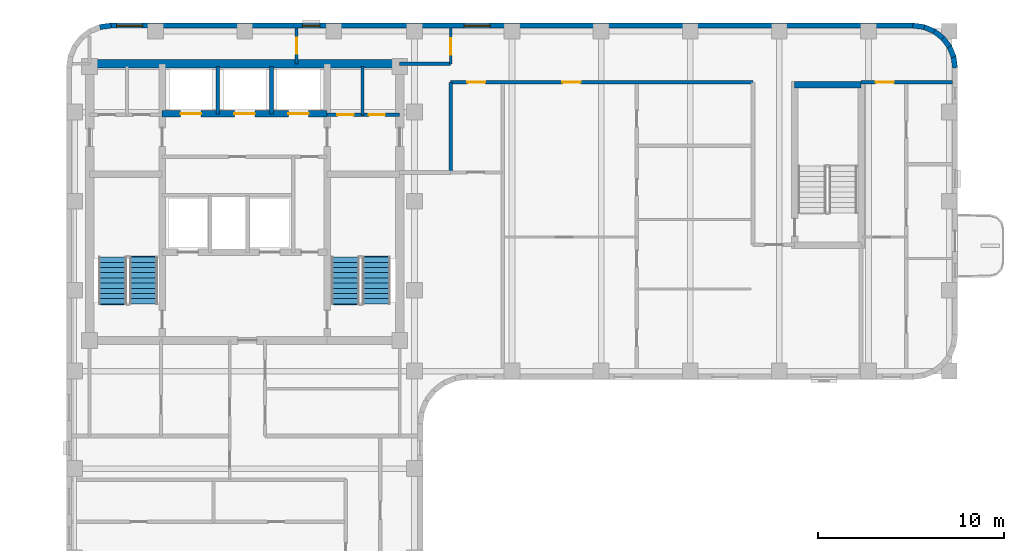
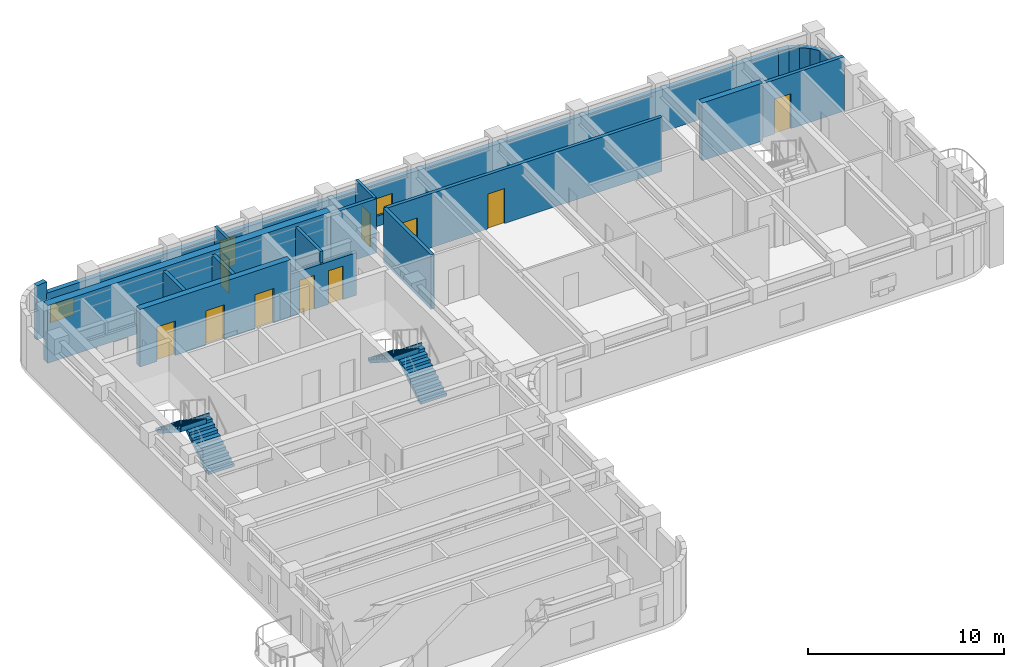
# One storey, part 6 of 10: 21 walls, 10 doors, 4 stair flights, 3 windows, 13 openings, 2 elements without a shape of their own.
"""IFC4 building model written with IfcOpenShell, lengths in metres."""

from ifc_helpers import new_model, si_unit, direction, frame, frame_2d, origin, place, context, subcontext, project, spatial, polyline, rectangle, outline, extrude, material, layer, layer_set, type_object, element, fill, aggregate, save


model = new_model("IFC4")

# Units and contexts
model_context = context("Model", 3, precision=1e-05, world=origin(), true_north=direction((0.0, 1.0)))
body_context = subcontext(model_context, "Body", "Model", "MODEL_VIEW")
ifc_project = project(units=[si_unit("LENGTHUNIT", "METRE"), si_unit("AREAUNIT", "SQUARE_METRE"), si_unit("VOLUMEUNIT", "CUBIC_METRE"), si_unit("PLANEANGLEUNIT", "RADIAN"), si_unit("MASSUNIT", "GRAM", prefix="KILO")], contexts=[model_context])

# Site, building, storey
site_placement = place(None, origin())
site = spatial("IfcSite", under=ifc_project, at=site_placement, CompositionType="ELEMENT")
building_placement = place(site_placement, origin())
building = spatial("IfcBuilding", under=site, at=building_placement, Name="Orvandelia Arch Residences", CompositionType="ELEMENT")
storey_placement = place(building_placement, frame((0.0, 0.0, 232.60009765625)))
storey = spatial("IfcBuildingStorey", under=building, at=storey_placement, Name="L61", CompositionType="ELEMENT", Elevation=232.60009765625)

# Wall, openings, doors
ifc_material_1 = material(Name="Concrete C50/60", Category="concrete")
ifc_layer_1 = layer(ifc_material_1, 0.35009765625, Name="Concrete C50/60", Category="concrete")
ifc_layer_set_1 = layer_set([ifc_layer_1], Name="Concrete C50/60")
wall_type_1 = type_object("IfcWallType", Name="WL-CORE-350", PredefinedType="SHEAR", material=ifc_layer_set_1)
wall_1_placement = place(storey_placement, frame((9.9599609375, 43.10009765625, 0.0), z_axis=(0.0, 0.0, 1.0), x_axis=(1.0, 0.0, 0.0)))
wall_1 = element("IfcWall", 1, at=wall_1_placement, inside=storey, type_object=wall_type_1, Name="Core Shear Wall L61-HZ4", PredefinedType="SHEAR", context=body_context, shape_type="SweptSolid", body=[
    extrude(rectangle(XDim=8.880126953125, YDim=0.35009765625, at=frame_2d((4.43994140625, 0.0))), origin(), (0.0, 0.0, 1.0), 3.599853515625),
])
opening_1_placement = place(wall_1_placement, frame((0.989990234375, 0.0, 0.0)))
opening_1 = element("IfcOpeningElement", 2, at=opening_1_placement, cuts=wall_1, Name="Opening LD", PredefinedType="OPENING", context=body_context, shape_type="SweptSolid", body=[
    extrude(rectangle(XDim=1.10009765625, YDim=2.14990234375, at=frame_2d((0.550048828125, 1.074951171875))), frame((0.0, 0.18505859375, 0.0), z_axis=(0.0, -1.0, 0.0), x_axis=(1.0, 0.0, 0.0)), (0.0, 0.0, 1.0), 0.3701171875),
])
opening_2_placement = place(wall_1_placement, frame((3.889892578125, 0.0, 0.0)))
opening_2 = element("IfcOpeningElement", 3, at=opening_2_placement, cuts=wall_1, Name="Opening LD", PredefinedType="OPENING", context=body_context, shape_type="SweptSolid", body=[
    extrude(rectangle(XDim=1.10009765625, YDim=2.14990234375, at=frame_2d((0.550048828125, 1.074951171875))), frame((0.0, 0.18505859375, 0.0), z_axis=(0.0, -1.0, 0.0), x_axis=(1.0, 0.0, 0.0)), (0.0, 0.0, 1.0), 0.3701171875),
])
opening_3_placement = place(wall_1_placement, frame((6.7900390625, 0.0, 0.0)))
opening_3 = element("IfcOpeningElement", 4, at=opening_3_placement, cuts=wall_1, Name="Opening LD", PredefinedType="OPENING", context=body_context, shape_type="SweptSolid", body=[
    extrude(rectangle(XDim=1.10009765625, YDim=2.14990234375, at=frame_2d((0.550048828125, 1.074951171875))), frame((0.0, 0.18505859375, 0.0), z_axis=(0.0, -1.0, 0.0), x_axis=(1.0, 0.0, 0.0)), (0.0, 0.0, 1.0), 0.3701171875),
])
ifc_material_2 = material(Name="Brushed Stainless Steel Sliding Lift Door", Category="steel")
door_type_1 = type_object("IfcDoorType", Name="DR-LIFT-1100", OperationType="NOTDEFINED", PredefinedType="DOOR", material=ifc_material_2)
door_1_placement = place(opening_1_placement, origin())
door_1 = element("IfcDoor", 5, at=door_1_placement, inside=storey, type_object=door_type_1, Name="Lift Landing Door LD-PH1-L61", OperationType="SLIDING_TO_LEFT", OverallHeight=2.14990234375, OverallWidth=1.10009765625, PredefinedType="DOOR", context=body_context, shape_type="SweptSolid", body=[
    extrude(rectangle(XDim=1.10009765625, YDim=2.14990234375, at=frame_2d((0.550048828125, 1.074951171875))), frame((0.0, 0.02490234375, 0.0), z_axis=(0.0, -1.0, 0.0), x_axis=(1.0, 0.0, 0.0)), (0.0, 0.0, 1.0), 0.050048828125),
])
fill(opening_1, door_1)
door_2_placement = place(opening_2_placement, origin())
door_2 = element("IfcDoor", 6, at=door_2_placement, inside=storey, type_object=door_type_1, Name="Lift Landing Door LD-PH2-L61", OperationType="SLIDING_TO_RIGHT", OverallHeight=2.14990234375, OverallWidth=1.10009765625, PredefinedType="DOOR", context=body_context, shape_type="SweptSolid", body=[
    extrude(rectangle(XDim=1.10009765625, YDim=2.14990234375, at=frame_2d((0.550048828125, 1.074951171875))), frame((0.0, 0.02490234375, 0.0), z_axis=(0.0, -1.0, 0.0), x_axis=(1.0, 0.0, 0.0)), (0.0, 0.0, 1.0), 0.050048828125),
])
fill(opening_2, door_2)
door_3_placement = place(opening_3_placement, origin())
door_3 = element("IfcDoor", 7, at=door_3_placement, inside=storey, type_object=door_type_1, Name="Lift Landing Door LD-PH3-L61", OperationType="SLIDING_TO_LEFT", OverallHeight=2.14990234375, OverallWidth=1.10009765625, PredefinedType="DOOR", context=body_context, shape_type="SweptSolid", body=[
    extrude(rectangle(XDim=1.10009765625, YDim=2.14990234375, at=frame_2d((0.550048828125, 1.074951171875))), frame((0.0, 0.02490234375, 0.0), z_axis=(0.0, -1.0, 0.0), x_axis=(1.0, 0.0, 0.0)), (0.0, 0.0, 1.0), 0.050048828125),
])
fill(opening_3, door_3)

# Walls
wall_2_placement = place(storey_placement, frame((44.02001953125, 44.659912109375, 0.0), z_axis=(0.0, 0.0, 1.0), x_axis=(1.0, 0.0, 0.0)))
element("IfcWall", 8, at=wall_2_placement, inside=storey, type_object=wall_type_1, Name="East Stair Core Shear Wall L61-N", PredefinedType="SHEAR", context=body_context, shape_type="SweptSolid", body=[
    extrude(rectangle(XDim=3.580078125, YDim=0.35009765625, at=frame_2d((1.7900390625, 0.0))), origin(), (0.0, 0.0, 1.0), 3.599853515625),
])
ifc_layer_2 = layer(ifc_material_1, 0.449951171875, Name="Concrete C50/60", Category="concrete")
ifc_layer_set_2 = layer_set([ifc_layer_2], Name="Concrete C50/60")
wall_type_2 = type_object("IfcWallType", Name="WL-CORE-450", PredefinedType="SHEAR", material=ifc_layer_set_2)
wall_3_placement = place(storey_placement, frame((6.050048828125, 45.800048828125, 0.0), z_axis=(0.0, 0.0, 1.0), x_axis=(1.0, 0.0, 0.0)))
element("IfcWall", 9, at=wall_3_placement, inside=storey, type_object=wall_type_2, Name="Core Shear Wall L61-N", PredefinedType="SHEAR", context=body_context, shape_type="SweptSolid", body=[
    extrude(rectangle(XDim=16.699951171875, YDim=0.449951171875, at=frame_2d((8.35009765625, 0.0))), origin(), (0.0, 0.0, 1.0), 3.599853515625),
])
ifc_material_3 = material(Name="Fire-Rated Corridor Partition")
ifc_layer_3 = layer(ifc_material_3, 0.199951171875, Name="Fire-Rated Corridor Partition")
ifc_layer_set_3 = layer_set([ifc_layer_3], Name="Fire-Rated Corridor Partition")
wall_type_3 = type_object("IfcWallType", Name="WL-CORR-200", PredefinedType="PARTITIONING", material=ifc_layer_set_3)
wall_4_placement = place(storey_placement, frame((22.75, 45.800048828125, 0.0), z_axis=(0.0, 0.0, 1.0), x_axis=(1.0, 0.0, 0.0)))
element("IfcWall", 10, at=wall_4_placement, inside=storey, type_object=wall_type_3, Name="Interior Partition Wall WL-L61-NCE-S", PredefinedType="PARTITIONING", context=body_context, shape_type="SweptSolid", body=[
    extrude(rectangle(XDim=2.75, YDim=0.199951171875, at=frame_2d((1.375, 0.0))), origin(), (0.0, 0.0, 1.0), 3.3798828125),
])

# Wall, openings, doors
wall_5_placement = place(storey_placement, frame((25.5, 44.800048828125, 0.0), z_axis=(0.0, 0.0, 1.0), x_axis=(1.0, 0.0, 0.0)))
wall_5 = element("IfcWall", 11, at=wall_5_placement, inside=storey, type_object=wall_type_3, Name="Interior Partition Wall WL-L61-EN2-S1", PredefinedType="PARTITIONING", context=body_context, shape_type="SweptSolid", body=[
    extrude(rectangle(XDim=16.280029296875, YDim=0.199951171875, at=frame_2d((8.14013671875, 0.0))), origin(), (0.0, 0.0, 1.0), 3.3798828125),
])
opening_4_placement = place(wall_5_placement, frame((0.89990234375, 0.0, 0.0)))
opening_4 = element("IfcOpeningElement", 12, at=opening_4_placement, cuts=wall_5, Name="Opening D2", PredefinedType="OPENING", context=body_context, shape_type="SweptSolid", body=[
    extrude(rectangle(XDim=0.949951171875, YDim=2.14990234375, at=frame_2d((0.47509765625, 1.074951171875))), frame((0.0, 0.10986328125, 0.0), z_axis=(0.0, -1.0, 0.0), x_axis=(1.0, 0.0, 0.0)), (0.0, 0.0, 1.0), 0.219970703125),
])
opening_5_placement = place(wall_5_placement, frame((6.013916015625, 0.0, 0.0)))
opening_5 = element("IfcOpeningElement", 13, at=opening_5_placement, cuts=wall_5, Name="Opening D1", PredefinedType="OPENING", context=body_context, shape_type="SweptSolid", body=[
    extrude(rectangle(XDim=0.97998046875, YDim=2.179931640625, at=frame_2d((0.489990234375, 1.08984375))), frame((0.0, 0.10986328125, 0.0), z_axis=(0.0, -1.0, 0.0), x_axis=(1.0, 0.0, 0.0)), (0.0, 0.0, 1.0), 0.219970703125),
])
ifc_material_4 = material(Name="Solid-Core Timber Interior Fire Door", Category="wood")
door_type_2 = type_object("IfcDoorType", Name="DR-APT-950", OperationType="NOTDEFINED", PredefinedType="DOOR", material=ifc_material_4)
door_4_placement = place(opening_4_placement, origin())
door_4 = element("IfcDoor", 14, at=door_4_placement, inside=storey, type_object=door_type_2, Name="DR-L61-EN2KLD", OperationType="SINGLE_SWING_LEFT", OverallHeight=2.14990234375, OverallWidth=0.949951171875, PredefinedType="DOOR", context=body_context, shape_type="SweptSolid", body=[
    extrude(rectangle(XDim=0.949951171875, YDim=2.14990234375, at=frame_2d((0.47509765625, 1.074951171875))), frame((0.0, 0.02490234375, 0.0), z_axis=(0.0, -1.0, 0.0), x_axis=(1.0, 0.0, 0.0)), (0.0, 0.0, 1.0), 0.050048828125),
])
fill(opening_4, door_4)
ifc_material_5 = material(Name="Solid-Core Timber Acoustic Fire Door", Category="wood")
door_type_3 = type_object("IfcDoorType", Name="DR-ENT-980", OperationType="NOTDEFINED", PredefinedType="DOOR", material=ifc_material_5)
door_5_placement = place(opening_5_placement, origin())
door_5 = element("IfcDoor", 15, at=door_5_placement, inside=storey, type_object=door_type_3, Name="Unit L61-04 Entrance Door", OperationType="SINGLE_SWING_RIGHT", OverallHeight=2.179931640625, OverallWidth=0.97998046875, PredefinedType="DOOR", context=body_context, shape_type="SweptSolid", body=[
    extrude(rectangle(XDim=0.97998046875, YDim=2.179931640625, at=frame_2d((0.489990234375, 1.08984375))), frame((0.0, 0.02490234375, 0.0), z_axis=(0.0, -1.0, 0.0), x_axis=(1.0, 0.0, 0.0)), (0.0, 0.0, 1.0), 0.050048828125),
])
fill(opening_5, door_5)

# Wall, opening, door
wall_6_placement = place(storey_placement, frame((47.60009765625, 44.800048828125, 0.0), z_axis=(0.0, 0.0, 1.0), x_axis=(1.0, 0.0, 0.0)))
wall_6 = element("IfcWall", 16, at=wall_6_placement, inside=storey, type_object=wall_type_3, Name="Interior Partition Wall WL-L61-EN2-S2", PredefinedType="PARTITIONING", context=body_context, shape_type="SweptSolid", body=[
    extrude(rectangle(XDim=4.919921875, YDim=0.199951171875, at=frame_2d((2.4599609375, 0.0))), origin(), (0.0, 0.0, 1.0), 3.3798828125),
])
opening_6_placement = place(wall_6_placement, frame((0.79150390625, 0.0, 0.0)))
opening_6 = element("IfcOpeningElement", 17, at=opening_6_placement, cuts=wall_6, Name="Opening D1", PredefinedType="OPENING", context=body_context, shape_type="SweptSolid", body=[
    extrude(rectangle(XDim=0.97998046875, YDim=2.179931640625, at=frame_2d((0.489990234375, 1.08984375))), frame((0.0, 0.10986328125, 0.0), z_axis=(0.0, -1.0, 0.0), x_axis=(1.0, 0.0, 0.0)), (0.0, 0.0, 1.0), 0.219970703125),
])
door_6_placement = place(opening_6_placement, origin())
door_6 = element("IfcDoor", 18, at=door_6_placement, inside=storey, type_object=door_type_3, Name="Unit L61-05 Entrance Door", OperationType="SINGLE_SWING_LEFT", OverallHeight=2.179931640625, OverallWidth=0.97998046875, PredefinedType="DOOR", context=body_context, shape_type="SweptSolid", body=[
    extrude(rectangle(XDim=0.97998046875, YDim=2.179931640625, at=frame_2d((0.489990234375, 1.08984375))), frame((0.0, 0.02490234375, 0.0), z_axis=(0.0, -1.0, 0.0), x_axis=(1.0, 0.0, 0.0)), (0.0, 0.0, 1.0), 0.050048828125),
])
fill(opening_6, door_6)

# Walls
wall_7_placement = place(storey_placement, frame((25.5, 39.949951171875, 0.0), z_axis=(0.0, 0.0, 1.0), x_axis=(0.0, 1.0, 0.0)))
element("IfcWall", 19, at=wall_7_placement, inside=storey, type_object=wall_type_3, Name="Interior Partition Wall WL-L61-EN2-LW", PredefinedType="PARTITIONING", context=body_context, shape_type="SweptSolid", body=[
    extrude(rectangle(XDim=4.85009765625, YDim=0.199951171875, at=frame_2d((2.425048828125, 0.0))), origin(), (0.0, 0.0, 1.0), 3.3798828125),
])
ifc_material_6 = material(Name="Precast concrete C40/50", Category="concrete")
ifc_layer_4 = layer(ifc_material_6, 0.280029296875, Name="Precast concrete C40/50", Category="concrete")
ifc_layer_set_4 = layer_set([ifc_layer_4], Name="Precast concrete C40/50")
wall_type_4 = type_object("IfcWallType", Name="WL-EXT-STONE-280", PredefinedType="STANDARD", material=ifc_layer_set_4)
wall_8_placement = place(storey_placement, frame((6.59716796875, 47.779296875, 0.0), z_axis=(0.0, 0.0, 1.0), x_axis=(0.9914410257, 0.130555323746, 0.0)))
element("IfcWall", 20, at=wall_8_placement, inside=storey, type_object=wall_type_4, Name="Coral-Limestone Precast Facade Wall L61-006", PredefinedType="STANDARD", context=body_context, shape_type="SweptSolid", body=[
    extrude(rectangle(XDim=0.62646484375, YDim=0.280029296875, at=frame_2d((0.313232421875, 0.0))), origin(), (0.0, 0.0, 1.0), 3.3798828125),
])

# Wall, openings, windows
wall_9_placement = place(storey_placement, frame((7.199951171875, 47.860107421875, 0.0), z_axis=(0.0, 0.0, 1.0), x_axis=(1.0, 0.0, 0.0)))
wall_9 = element("IfcWall", 21, at=wall_9_placement, inside=storey, type_object=wall_type_4, Name="Coral-Limestone Precast Facade Wall L61-007", PredefinedType="STANDARD", context=body_context, shape_type="SweptSolid", body=[
    extrude(rectangle(XDim=43.199951171875, YDim=0.280029296875, at=frame_2d((21.60009765625, 0.0))), origin(), (0.0, 0.0, 1.0), 2.659912109375),
])
opening_7_placement = place(wall_9_placement, frame((19.027587890625, 0.0, 0.64990234375)))
opening_7 = element("IfcOpeningElement", 22, at=opening_7_placement, cuts=wall_9, Name="Opening W10", PredefinedType="OPENING", context=body_context, shape_type="SweptSolid", body=[
    extrude(rectangle(XDim=1.39990234375, YDim=1.10009765625, at=frame_2d((0.699951171875, 0.550048828125))), frame((0.0, 0.14990234375, 0.0), z_axis=(0.0, -1.0, 0.0), x_axis=(1.0, 0.0, 0.0)), (0.0, 0.0, 1.0), 0.300048828125),
])
opening_8_placement = place(wall_9_placement, frame((0.3076171875, 0.0, 0.64990234375)))
opening_8 = element("IfcOpeningElement", 23, at=opening_8_placement, cuts=wall_9, Name="Opening W10", PredefinedType="OPENING", context=body_context, shape_type="SweptSolid", body=[
    extrude(rectangle(XDim=1.39990234375, YDim=1.10009765625, at=frame_2d((0.699951171875, 0.550048828125))), frame((0.0, 0.14990234375, 0.0), z_axis=(0.0, -1.0, 0.0), x_axis=(1.0, 0.0, 0.0)), (0.0, 0.0, 1.0), 0.300048828125),
])
opening_9_placement = place(wall_9_placement, frame((10.302490234375, 0.0, 0.449951171875)))
opening_9 = element("IfcOpeningElement", 24, at=opening_9_placement, cuts=wall_9, Name="Opening W4", PredefinedType="OPENING", context=body_context, shape_type="SweptSolid", body=[
    extrude(rectangle(XDim=0.949951171875, YDim=1.800048828125, at=frame_2d((0.47509765625, 0.89990234375))), frame((0.0, 0.14990234375, 0.0), z_axis=(0.0, -1.0, 0.0), x_axis=(1.0, 0.0, 0.0)), (0.0, 0.0, 1.0), 0.300048828125),
])
ifc_material_7 = material(Name="Tempered Low-E Insulated Glazing", Category="glass")
window_type_1 = type_object("IfcWindowType", Name="WIN-CLR-1400x1100", PartitioningType="SINGLE_PANEL", PredefinedType="WINDOW", material=ifc_material_7)
window_1_placement = place(opening_7_placement, origin())
window_1 = element("IfcWindow", 25, at=window_1_placement, inside=storey, type_object=window_type_1, Name="Recessed Punched Window L61-001", OverallHeight=1.10009765625, OverallWidth=1.39990234375, PartitioningType="SINGLE_PANEL", PredefinedType="WINDOW", context=body_context, shape_type="SweptSolid", body=[
    extrude(rectangle(XDim=1.39990234375, YDim=1.10009765625, at=frame_2d((0.699951171875, 0.550048828125))), frame((0.0, 0.030029296875, 0.0), z_axis=(0.0, -1.0, 0.0), x_axis=(1.0, 0.0, 0.0)), (0.0, 0.0, 1.0), 0.06005859375),
])
fill(opening_7, window_1)
window_2_placement = place(opening_8_placement, origin())
window_2 = element("IfcWindow", 26, at=window_2_placement, inside=storey, type_object=window_type_1, Name="Recessed Punched Window L61-002", OverallHeight=1.10009765625, OverallWidth=1.39990234375, PartitioningType="SINGLE_PANEL", PredefinedType="WINDOW", context=body_context, shape_type="SweptSolid", body=[
    extrude(rectangle(XDim=1.39990234375, YDim=1.10009765625, at=frame_2d((0.699951171875, 0.550048828125))), frame((0.0, 0.030029296875, 0.0), z_axis=(0.0, -1.0, 0.0), x_axis=(1.0, 0.0, 0.0)), (0.0, 0.0, 1.0), 0.06005859375),
])
fill(opening_8, window_2)
window_type_2 = type_object("IfcWindowType", Name="WIN-RES-0950x1800", PartitioningType="SINGLE_PANEL", PredefinedType="WINDOW", material=ifc_material_7)
window_3_placement = place(opening_9_placement, origin())
window_3 = element("IfcWindow", 27, at=window_3_placement, inside=storey, type_object=window_type_2, Name="Recessed Punched Window L61-003", OverallHeight=1.800048828125, OverallWidth=0.949951171875, PartitioningType="SINGLE_PANEL", PredefinedType="WINDOW", context=body_context, shape_type="SweptSolid", body=[
    extrude(rectangle(XDim=0.949951171875, YDim=1.800048828125, at=frame_2d((0.47509765625, 0.89990234375))), frame((0.0, 0.030029296875, 0.0), z_axis=(0.0, -1.0, 0.0), x_axis=(1.0, 0.0, 0.0)), (0.0, 0.0, 1.0), 0.06005859375),
])
fill(opening_9, window_3)

# Walls
wall_10_placement = place(storey_placement, frame((50.381591796875, 47.861083984375, 0.0), z_axis=(0.0, 0.0, 1.0), x_axis=(0.991447664465, -0.130504898859, 0.0)))
element("IfcWall", 28, at=wall_10_placement, inside=storey, type_object=wall_type_4, Name="Coral-Limestone Precast Facade Wall L61-008", PredefinedType="STANDARD", context=body_context, shape_type="SweptSolid", body=[
    extrude(rectangle(XDim=0.626708984375, YDim=0.280029296875, at=frame_2d((0.3134765625, 0.0))), origin(), (0.0, 0.0, 1.0), 2.659912109375),
])
for number, where, z_axis, x_axis, name in (
    (29, (50.967529296875, 47.788818359375, 0.0), (0.0, 0.0, 1.0), (0.924031075431, -0.382317370307, 0.0), "Coral-Limestone Precast Facade Wall L61-009"),
    (30, (51.514892578125, 47.5673828125, 0.0), (0.0, 0.0, 1.0), (0.793405610854, -0.608693302629, 0.0), "Coral-Limestone Precast Facade Wall L61-010"),
    (31, (51.986083984375, 47.2119140625, 0.0), (0.0, 0.0, 1.0), (0.608693302629, -0.793405610854, 0.0), "Coral-Limestone Precast Facade Wall L61-011"),
    (32, (52.34912109375, 46.746337890625, 0.0), (0.0, 0.0, 1.0), (0.382650053678, -0.92389335771, 0.0), "Coral-Limestone Precast Facade Wall L61-012"),
    (33, (52.579345703125, 46.202880859375, 0.0), (0.0, 0.0, 1.0), (0.130555323746, -0.9914410257, 0.0), "Coral-Limestone Precast Facade Wall L61-013"),
):
    element("IfcWall", number, at=place(storey_placement, frame(where, z_axis=z_axis, x_axis=x_axis)), inside=storey, type_object=wall_type_4, Name=name, PredefinedType="STANDARD", context=body_context, shape_type="SweptSolid", body=[
        extrude(rectangle(XDim=0.62646484375, YDim=0.280029296875, at=frame_2d((0.313232421875, 0.0))), origin(), (0.0, 0.0, 1.0), 2.659912109375),
    ])

# Wall, opening, door
ifc_material_8 = material(Name="Acoustic Gypsum Stud Partition")
ifc_layer_5 = layer(ifc_material_8, 0.14990234375, Name="Acoustic Gypsum Stud Partition")
ifc_layer_set_5 = layer_set([ifc_layer_5], Name="Acoustic Gypsum Stud Partition")
wall_type_5 = type_object("IfcWallType", Name="WL-PART-150", PredefinedType="PARTITIONING", material=ifc_layer_set_5)
wall_11_placement = place(storey_placement, frame((25.5, 45.800048828125, 0.0), z_axis=(0.0, 0.0, 1.0), x_axis=(0.0, 1.0, 0.0)))
wall_11 = element("IfcWall", 34, at=wall_11_placement, inside=storey, type_object=wall_type_5, Name="Interior Partition Wall WL-L61-NCE-W", PredefinedType="PARTITIONING", context=body_context, shape_type="SweptSolid", body=[
    extrude(rectangle(XDim=1.919921875, YDim=0.14990234375, at=frame_2d((0.9599609375, 0.0))), origin(), (0.0, 0.0, 1.0), 3.3798828125),
])
opening_10_placement = place(wall_11_placement, frame((0.5, 0.0, 0.0)))
opening_10 = element("IfcOpeningElement", 35, at=opening_10_placement, cuts=wall_11, Name="Opening D5", PredefinedType="OPENING", context=body_context, shape_type="SweptSolid", body=[
    extrude(rectangle(XDim=0.8798828125, YDim=2.10009765625, at=frame_2d((0.43994140625, 1.050048828125))), frame((0.0, 0.0849609375, 0.0), z_axis=(0.0, -1.0, 0.0), x_axis=(1.0, 0.0, 0.0)), (0.0, 0.0, 1.0), 0.169921875),
])
ifc_material_9 = material(Name="Painted Galvanised Steel Service Door", Category="steel")
door_type_4 = type_object("IfcDoorType", Name="DR-SRV-880", OperationType="NOTDEFINED", PredefinedType="DOOR", material=ifc_material_9)
door_7_placement = place(opening_10_placement, origin())
door_7 = element("IfcDoor", 36, at=door_7_placement, inside=storey, type_object=door_type_4, Name="DR-L61-NCS2", OperationType="SINGLE_SWING_LEFT", OverallHeight=2.10009765625, OverallWidth=0.8798828125, PredefinedType="DOOR", context=body_context, shape_type="SweptSolid", body=[
    extrude(rectangle(XDim=0.8798828125, YDim=2.10009765625, at=frame_2d((0.43994140625, 1.050048828125))), frame((0.0, 0.02490234375, 0.0), z_axis=(0.0, -1.0, 0.0), x_axis=(1.0, 0.0, 0.0)), (0.0, 0.0, 1.0), 0.050048828125),
])
fill(opening_10, door_7)

wall_12_placement = place(storey_placement, frame((17.199951171875, 45.800048828125, 0.0), z_axis=(0.0, 0.0, 1.0), x_axis=(0.0, 1.0, 0.0)))
wall_12 = element("IfcWall", 37, at=wall_12_placement, inside=storey, type_object=wall_type_5, Name="Interior Partition Wall WL-L61-NC-M", PredefinedType="PARTITIONING", context=body_context, shape_type="SweptSolid", body=[
    extrude(rectangle(XDim=1.919921875, YDim=0.14990234375, at=frame_2d((0.9599609375, 0.0))), origin(), (0.0, 0.0, 1.0), 3.3798828125),
])
opening_11_placement = place(wall_12_placement, frame((0.550048828125, 0.0, 0.0)))
opening_11 = element("IfcOpeningElement", 38, at=opening_11_placement, cuts=wall_12, Name="Opening D4", PredefinedType="OPENING", context=body_context, shape_type="SweptSolid", body=[
    extrude(rectangle(XDim=0.860107421875, YDim=2.10009765625, at=frame_2d((0.43017578125, 1.050048828125))), frame((0.0, 0.0849609375, 0.0), z_axis=(0.0, -1.0, 0.0), x_axis=(1.0, 0.0, 0.0)), (0.0, 0.0, 1.0), 0.169921875),
])
ifc_material_10 = material(Name="Moisture-Sealed Timber Bathroom Door", Category="wood")
door_type_5 = type_object("IfcDoorType", Name="DR-WET-900", OperationType="NOTDEFINED", PredefinedType="DOOR", material=ifc_material_10)
door_8_placement = place(opening_11_placement, origin())
door_8 = element("IfcDoor", 39, at=door_8_placement, inside=storey, type_object=door_type_5, Name="DR-L61-NCS1", OperationType="SINGLE_SWING_LEFT", OverallHeight=2.10009765625, OverallWidth=0.860107421875, PredefinedType="DOOR", context=body_context, shape_type="SweptSolid", body=[
    extrude(rectangle(XDim=0.860107421875, YDim=2.10009765625, at=frame_2d((0.43017578125, 1.050048828125))), frame((0.0, 0.02490234375, 0.0), z_axis=(0.0, -1.0, 0.0), x_axis=(1.0, 0.0, 0.0)), (0.0, 0.0, 1.0), 0.050048828125),
])
fill(opening_11, door_8)

# Wall, openings, doors
ifc_material_11 = material(Name="Fire-Rated Shaft Enclosure Wall")
ifc_layer_6 = layer(ifc_material_11, 0.199951171875, Name="Fire-Rated Shaft Enclosure Wall")
ifc_layer_set_6 = layer_set([ifc_layer_6], Name="Fire-Rated Shaft Enclosure Wall")
wall_type_6 = type_object("IfcWallType", Name="WL-SHAFT-200", PredefinedType="POLYGONAL", material=ifc_layer_set_6)
wall_13_placement = place(storey_placement, frame((18.840087890625, 43.050048828125, 0.0), z_axis=(0.0, 0.0, 1.0), x_axis=(1.0, 0.0, 0.0)))
wall_13 = element("IfcWall", 40, at=wall_13_placement, inside=storey, type_object=wall_type_6, Name="Interior Partition Wall WL-L61-HLE-N", PredefinedType="POLYGONAL", context=body_context, shape_type="SweptSolid", body=[
    extrude(rectangle(XDim=3.909912109375, YDim=0.199951171875, at=frame_2d((1.955078125, 0.0))), origin(), (0.0, 0.0, 1.0), 2.659912109375),
])
opening_12_placement = place(wall_13_placement, frame((0.550048828125, 0.0, 0.0)))
opening_12 = element("IfcOpeningElement", 41, at=opening_12_placement, cuts=wall_13, Name="Opening D5", PredefinedType="OPENING", context=body_context, shape_type="SweptSolid", body=[
    extrude(rectangle(XDim=0.8798828125, YDim=2.10009765625, at=frame_2d((0.43994140625, 1.050048828125))), frame((0.0, 0.10986328125, 0.0), z_axis=(0.0, -1.0, 0.0), x_axis=(1.0, 0.0, 0.0)), (0.0, 0.0, 1.0), 0.219970703125),
])
opening_13_placement = place(wall_13_placement, frame((2.25, 0.0, 0.0)))
opening_13 = element("IfcOpeningElement", 42, at=opening_13_placement, cuts=wall_13, Name="Opening D4", PredefinedType="OPENING", context=body_context, shape_type="SweptSolid", body=[
    extrude(rectangle(XDim=0.860107421875, YDim=2.10009765625, at=frame_2d((0.43017578125, 1.050048828125))), frame((0.0, 0.10986328125, 0.0), z_axis=(0.0, -1.0, 0.0), x_axis=(1.0, 0.0, 0.0)), (0.0, 0.0, 1.0), 0.219970703125),
])
door_9_placement = place(opening_12_placement, origin())
door_9 = element("IfcDoor", 43, at=door_9_placement, inside=storey, type_object=door_type_4, Name="DR-L61-CSB1", OperationType="SINGLE_SWING_LEFT", OverallHeight=2.10009765625, OverallWidth=0.8798828125, PredefinedType="DOOR", context=body_context, shape_type="SweptSolid", body=[
    extrude(rectangle(XDim=0.8798828125, YDim=2.10009765625, at=frame_2d((0.43994140625, 1.050048828125))), frame((0.0, 0.02490234375, 0.0), z_axis=(0.0, -1.0, 0.0), x_axis=(1.0, 0.0, 0.0)), (0.0, 0.0, 1.0), 0.050048828125),
])
fill(opening_12, door_9)
door_10_placement = place(opening_13_placement, origin())
door_10 = element("IfcDoor", 44, at=door_10_placement, inside=storey, type_object=door_type_5, Name="DR-L61-CSB2", OperationType="SINGLE_SWING_RIGHT", OverallHeight=2.10009765625, OverallWidth=0.860107421875, PredefinedType="DOOR", context=body_context, shape_type="SweptSolid", body=[
    extrude(rectangle(XDim=0.860107421875, YDim=2.10009765625, at=frame_2d((0.43017578125, 1.050048828125))), frame((0.0, 0.02490234375, 0.0), z_axis=(0.0, -1.0, 0.0), x_axis=(1.0, 0.0, 0.0)), (0.0, 0.0, 1.0), 0.050048828125),
])
fill(opening_13, door_10)

# Walls
for number, where, z_axis, x_axis, name in (
    (45, (12.949951171875, 43.10009765625, 0.0), (0.0, 0.0, 1.0), (0.0, 1.0, 0.0), "Interior Partition Wall WL-L61-PHD1"),
    (46, (15.85009765625, 43.10009765625, 0.0), (0.0, 0.0, 1.0), (0.0, 1.0, 0.0), "Interior Partition Wall WL-L61-PHD2"),
):
    element("IfcWall", number, at=place(storey_placement, frame(where, z_axis=z_axis, x_axis=x_axis)), inside=storey, type_object=wall_type_6, Name=name, PredefinedType="POLYGONAL", context=body_context, shape_type="SweptSolid", body=[
        extrude(rectangle(XDim=2.5498046875, YDim=0.199951171875, at=frame_2d((1.27490234375, 0.0))), origin(), (0.0, 0.0, 1.0), 3.3798828125),
    ])
ifc_material_12 = material(Name="Moisture-Resistant Plumbing Wall")
ifc_layer_7 = layer(ifc_material_12, 0.179931640625, Name="Moisture-Resistant Plumbing Wall")
ifc_layer_set_7 = layer_set([ifc_layer_7], Name="Moisture-Resistant Plumbing Wall")
wall_type_7 = type_object("IfcWallType", Name="WL-WET-180", PredefinedType="PLUMBINGWALL", material=ifc_layer_set_7)
wall_14_placement = place(storey_placement, frame((20.75, 43.050048828125, 0.0), z_axis=(0.0, 0.0, 1.0), x_axis=(0.0, 1.0, 0.0)))
element("IfcWall", 47, at=wall_14_placement, inside=storey, type_object=wall_type_7, Name="Interior Partition Wall WL-L61-CSB-1", PredefinedType="PLUMBINGWALL", context=body_context, shape_type="SweptSolid", body=[
    extrude(rectangle(XDim=2.599853515625, YDim=0.179931640625, at=frame_2d((1.2998046875, 0.0))), origin(), (0.0, 0.0, 1.0), 3.3798828125),
])

# Stair, stair flights
ifc_material_13 = material(Name="Concrete C40/50", Category="concrete")
stair_type = type_object("IfcStairType", Name="STAIR-RC-DOGLEG", PredefinedType="HALF_TURN_STAIR", material=ifc_material_13)
stair_1_placement = place(storey_placement, origin())
stair_1 = element("IfcStair", 48, at=stair_1_placement, inside=storey, type_object=stair_type, Name="L61 Protected Exit Stair ST-1", PredefinedType="HALF_TURN_STAIR")
stair_flight_type = type_object("IfcStairFlightType", Name="STFLT-RC-1520", PredefinedType="STRAIGHT", material=ifc_material_13)
stair_flight_1_placement = place(storey_placement, frame((8.9599609375, 32.8701171875, 0.0), z_axis=(0.0, 0.0, 1.0), x_axis=(0.0, 1.0, 0.0)))
stair_flight_1 = element("IfcStairFlight", 49, at=stair_flight_1_placement, type_object=stair_flight_type, Name="ST-1 flight 1", NumberOfRisers=10, NumberOfTreads=9, PredefinedType="STRAIGHT", RiserHeight=0.18, TreadLength=0.28, context=body_context, shape_type="SweptSolid", body=[
    extrude(outline(polyline([(0.0, 0.0), (0.0, 0.179931640625), (0.280029296875, 0.179931640625), (0.280029296875, 0.360107421875), (0.56005859375, 0.360107421875), (0.56005859375, 0.5400390625), (0.840087890625, 0.5400390625), (0.840087890625, 0.719970703125), (1.1201171875, 0.719970703125), (1.1201171875, 0.89990234375), (1.39990234375, 0.89990234375), (1.39990234375, 1.080078125), (1.679931640625, 1.080078125), (1.679931640625, 1.260009765625), (1.9599609375, 1.260009765625), (1.9599609375, 1.43994140625), (2.239990234375, 1.43994140625), (2.239990234375, 1.6201171875), (2.52001953125, 1.6201171875), (2.52001953125, 1.800048828125), (2.580078125, 1.800048828125), (2.580078125, 1.6201171875), (2.52001953125, 1.44189453125), (0.277099609375, 0.0), (0.0, 0.0)])), frame((0.0, 0.760009765625, 0.0), z_axis=(0.0, -1.0, 0.0), x_axis=(1.0, 0.0, 0.0)), (0.0, 0.0, 1.0), 1.52001953125),
])
stair_flight_2_placement = place(storey_placement, frame((7.2900390625, 35.389892578125, 1.7998046875), z_axis=(0.0, 0.0, 1.0), x_axis=(0.0, -1.0, 0.0)))
stair_flight_2 = element("IfcStairFlight", 50, at=stair_flight_2_placement, type_object=stair_flight_type, Name="ST-1 flight 2", NumberOfRisers=10, NumberOfTreads=9, PredefinedType="STRAIGHT", RiserHeight=0.18, TreadLength=0.28, context=body_context, shape_type="SweptSolid", body=[
    extrude(outline(polyline([(0.0, 0.0), (0.0, 0.179931640625), (0.280029296875, 0.179931640625), (0.280029296875, 0.360107421875), (0.56005859375, 0.360107421875), (0.56005859375, 0.5400390625), (0.840087890625, 0.5400390625), (0.840087890625, 0.719970703125), (1.1201171875, 0.719970703125), (1.1201171875, 0.89990234375), (1.39990234375, 0.89990234375), (1.39990234375, 1.080078125), (1.679931640625, 1.080078125), (1.679931640625, 1.260009765625), (1.9599609375, 1.260009765625), (1.9599609375, 1.43994140625), (2.239990234375, 1.43994140625), (2.239990234375, 1.6201171875), (2.52001953125, 1.6201171875), (2.52001953125, 1.800048828125), (2.580078125, 1.800048828125), (2.580078125, 1.6201171875), (2.52001953125, 1.44189453125), (0.277099609375, 0.0), (0.0, 0.0)])), frame((0.0, 0.760009765625, 0.0), z_axis=(0.0, -1.0, 0.0), x_axis=(1.0, 0.0, 0.0)), (0.0, 0.0, 1.0), 1.52001953125),
])
aggregate(stair_1, [stair_flight_1, stair_flight_2])

stair_2_placement = place(storey_placement, origin())
stair_2 = element("IfcStair", 51, at=stair_2_placement, inside=storey, type_object=stair_type, Name="L61 Protected Exit Stair ST-2", PredefinedType="HALF_TURN_STAIR")
stair_flight_3_placement = place(storey_placement, frame((21.489990234375, 32.8701171875, 0.0), z_axis=(0.0, 0.0, 1.0), x_axis=(0.0, 1.0, 0.0)))
stair_flight_3 = element("IfcStairFlight", 52, at=stair_flight_3_placement, type_object=stair_flight_type, Name="ST-2 flight 1", NumberOfRisers=10, NumberOfTreads=9, PredefinedType="STRAIGHT", RiserHeight=0.18, TreadLength=0.28, context=body_context, shape_type="SweptSolid", body=[
    extrude(outline(polyline([(0.0, 0.0), (0.0, 0.179931640625), (0.280029296875, 0.179931640625), (0.280029296875, 0.360107421875), (0.56005859375, 0.360107421875), (0.56005859375, 0.5400390625), (0.840087890625, 0.5400390625), (0.840087890625, 0.719970703125), (1.1201171875, 0.719970703125), (1.1201171875, 0.89990234375), (1.39990234375, 0.89990234375), (1.39990234375, 1.080078125), (1.679931640625, 1.080078125), (1.679931640625, 1.260009765625), (1.9599609375, 1.260009765625), (1.9599609375, 1.43994140625), (2.239990234375, 1.43994140625), (2.239990234375, 1.6201171875), (2.52001953125, 1.6201171875), (2.52001953125, 1.800048828125), (2.580078125, 1.800048828125), (2.580078125, 1.6201171875), (2.52001953125, 1.44189453125), (0.277099609375, 0.0), (0.0, 0.0)])), frame((0.0, 0.760009765625, 0.0), z_axis=(0.0, -1.0, 0.0), x_axis=(1.0, 0.0, 0.0)), (0.0, 0.0, 1.0), 1.52001953125),
])
stair_flight_4_placement = place(storey_placement, frame((19.820068359375, 35.389892578125, 1.7998046875), z_axis=(0.0, 0.0, 1.0), x_axis=(0.0, -1.0, 0.0)))
stair_flight_4 = element("IfcStairFlight", 53, at=stair_flight_4_placement, type_object=stair_flight_type, Name="ST-2 flight 2", NumberOfRisers=10, NumberOfTreads=9, PredefinedType="STRAIGHT", RiserHeight=0.18, TreadLength=0.28, context=body_context, shape_type="SweptSolid", body=[
    extrude(outline(polyline([(0.0, 0.0), (0.0, 0.179931640625), (0.280029296875, 0.179931640625), (0.280029296875, 0.360107421875), (0.56005859375, 0.360107421875), (0.56005859375, 0.5400390625), (0.840087890625, 0.5400390625), (0.840087890625, 0.719970703125), (1.1201171875, 0.719970703125), (1.1201171875, 0.89990234375), (1.39990234375, 0.89990234375), (1.39990234375, 1.080078125), (1.679931640625, 1.080078125), (1.679931640625, 1.260009765625), (1.9599609375, 1.260009765625), (1.9599609375, 1.43994140625), (2.239990234375, 1.43994140625), (2.239990234375, 1.6201171875), (2.52001953125, 1.6201171875), (2.52001953125, 1.800048828125), (2.580078125, 1.800048828125), (2.580078125, 1.6201171875), (2.52001953125, 1.44189453125), (0.277099609375, 0.0), (0.0, 0.0)])), frame((0.0, 0.760009765625, 0.0), z_axis=(0.0, -1.0, 0.0), x_axis=(1.0, 0.0, 0.0)), (0.0, 0.0, 1.0), 1.52001953125),
])
aggregate(stair_2, [stair_flight_3, stair_flight_4])

save(model, "model.ifc")
